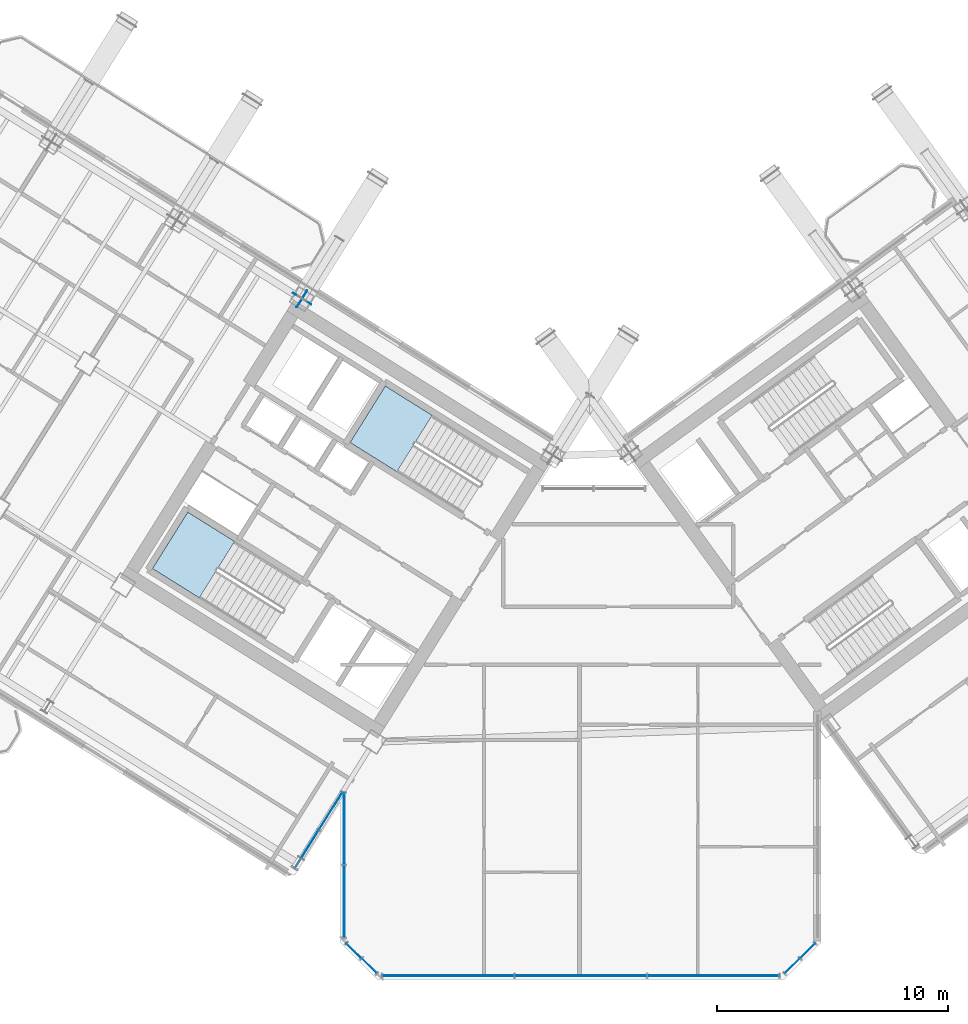
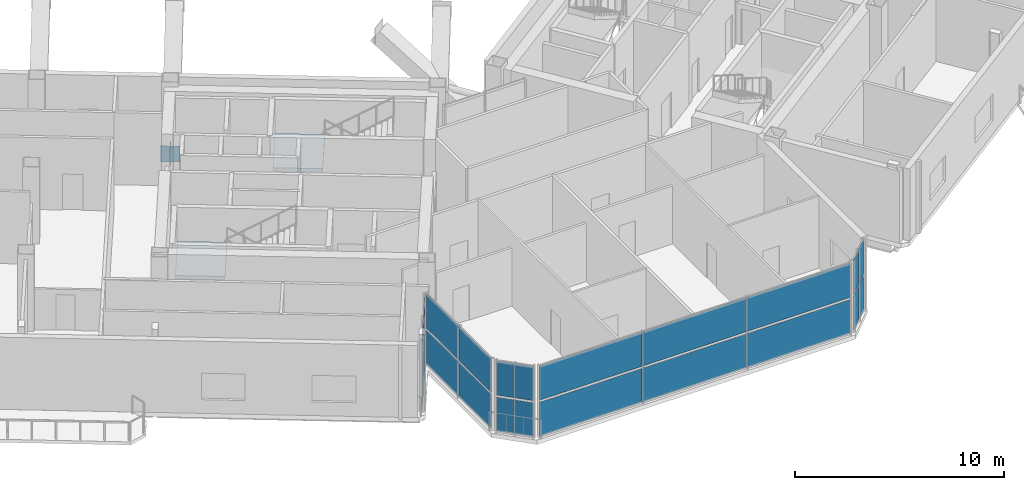
# One storey, part 14 of 34: 24 plates, 2 slabs, 7 elements without a shape of their own.
"""IFC4 building model written with IfcOpenShell, lengths in metres."""

from ifc_helpers import new_model, si_unit, direction, frame, origin, origin_2d, place, context, subcontext, project, spatial, polyline, rectangle, outline, extrude, source, transform, mapped, material, layer, layer_set, type_object, element, aggregate, save


model = new_model("IFC4")

# Units and contexts
model_context = context("Model", 3, precision=1e-05, world=origin(), true_north=direction((0.0, 1.0)))
body_context = subcontext(model_context, "Body", "Model", "MODEL_VIEW")
ifc_project = project(units=[si_unit("LENGTHUNIT", "METRE"), si_unit("AREAUNIT", "SQUARE_METRE"), si_unit("VOLUMEUNIT", "CUBIC_METRE"), si_unit("PLANEANGLEUNIT", "RADIAN"), si_unit("MASSUNIT", "GRAM", prefix="KILO")], contexts=[model_context])

# Site, building, storey
site_placement = place(None, origin())
site = spatial("IfcSite", under=ifc_project, at=site_placement, CompositionType="ELEMENT")
building_placement = place(site_placement, origin())
building = spatial("IfcBuilding", under=site, at=building_placement, Name="Tlacorven Tower", CompositionType="ELEMENT")
storey_placement = place(building_placement, frame((0.0, 0.0, 174.89990234375)))
storey = spatial("IfcBuildingStorey", under=building, at=storey_placement, Name="L44", CompositionType="ELEMENT", Elevation=174.89990234375)

# Stair, slab
ifc_material_1 = material(Name="Concrete C40/50", Category="concrete")
stair_type = type_object("IfcStairType", Name="ST-CORE-DLG", PredefinedType="HALF_TURN_STAIR", material=ifc_material_1)
stair_1_placement = place(storey_placement, origin())
stair_1 = element("IfcStair", 1, at=stair_1_placement, inside=storey, type_object=stair_type, Name="L44 Protected Exit Stair West 1", PredefinedType="HALF_TURN_STAIR")
ifc_layer_1 = layer(ifc_material_1, 0.199951171875)
ifc_layer_set_1 = layer_set([ifc_layer_1], Name="Concrete C40/50")
slab_type = type_object("IfcSlabType", Name="SL-LND-200", PredefinedType="LANDING", material=ifc_layer_set_1)
slab_1_placement = place(storey_placement, frame((0.0, 0.0, 2.050048828125)))
slab_1 = element("IfcSlab", 2, at=slab_1_placement, type_object=slab_type, Name="ST-W1 landing 1", PredefinedType="LANDING", context=body_context, shape_type="SweptSolid", body=[
    extrude(outline(polyline([(27.01611328125, 20.76025390625), (24.9892578125, 22.02685546875), (23.463134765625, 19.58447265625), (25.489990234375, 18.31787109375), (27.01611328125, 20.76025390625)])), origin(), (0.0, 0.0, 1.0), 0.199951171875),
])
aggregate(stair_1, [slab_1])

stair_2_placement = place(storey_placement, origin())
stair_2 = element("IfcStair", 3, at=stair_2_placement, inside=storey, type_object=stair_type, Name="L44 Protected Exit Stair West 2", PredefinedType="HALF_TURN_STAIR")
slab_2_placement = place(storey_placement, frame((0.0, 0.0, 2.050048828125)))
slab_2 = element("IfcSlab", 4, at=slab_2_placement, type_object=slab_type, Name="ST-W2 landing 1", PredefinedType="LANDING", context=body_context, shape_type="SweptSolid", body=[
    extrude(outline(polyline([(35.567626953125, 26.218017578125), (33.540771484375, 27.484375), (32.0146484375, 25.0419921875), (34.04150390625, 23.775634765625), (35.567626953125, 26.218017578125)])), origin(), (0.0, 0.0, 1.0), 0.199951171875),
])
aggregate(stair_2, [slab_2])

# Plates
ifc_material_2 = material(Name="Steel S460M", Category="steel")
ifc_layer_2 = layer(ifc_material_2, 0.02392578125)
ifc_layer_set_2 = layer_set([ifc_layer_2], Name="Steel S460M")
plate_type_1 = type_object("IfcPlateType", Name="PL-CAP-END1", PredefinedType="USERDEFINED", material=ifc_layer_set_2)
shared_shape_1 = source(origin(), body_context, "Body", "SweptSolid", [
    extrude(rectangle(XDim=0.02392578125, YDim=0.929931640625, at=origin_2d()), origin(), (0.0, 0.0, 1.0), 0.929931640625),
])
plate_1_placement = place(storey_placement, frame((29.9365234375, 31.26513671875, -0.453125), z_axis=(0.0, 0.0, 1.0), x_axis=(0.529919406799, 0.848048007072, 0.0)))
element("IfcPlate", 5, at=plate_1_placement, inside=storey, type_object=plate_type_1, Name="L44 hollow end cap plate RAK-L44-W3 1", ObjectType="END PLATE", PredefinedType="USERDEFINED", context=body_context, shape_type="MappedRepresentation", body=[
    mapped(shared_shape_1, transform((0.0, 0.0, 0.0), scale=1.0)),
])
ifc_layer_3 = layer(ifc_material_2, 0.031982421875)
ifc_layer_set_3 = layer_set([ifc_layer_3], Name="Steel S460M")
plate_type_2 = type_object("IfcPlateType", Name="PL-NODE-KN1", PredefinedType="SHEET", material=ifc_layer_set_3)
shared_shape_2 = source(origin(), body_context, "Body", "SweptSolid", [
    extrude(rectangle(XDim=0.85009765625, YDim=0.031982421875, at=origin_2d()), origin(), (0.0, 0.0, 1.0), 0.85009765625),
])
plate_2_placement = place(storey_placement, frame((29.93212890625, 31.25830078125, -0.419189453125), z_axis=(0.0, 0.0, 1.0), x_axis=(0.529919406799, 0.848048007072, 0.0)))
element("IfcPlate", 6, at=plate_2_placement, inside=storey, type_object=plate_type_2, Name="L44 structural node gusset plate RAK-L44-W3", PredefinedType="SHEET", context=body_context, shape_type="MappedRepresentation", body=[
    mapped(shared_shape_2, transform((0.0, 0.0, 0.0), scale=1.0)),
])

# Curtain wall, plates
ifc_material_3 = material(Name="Dark solar low-E double glazing in aluminium frame", Category="aluminium")
curtain_wall_type = type_object("IfcCurtainWallType", Name="CW-TWR-MID", PredefinedType="USERDEFINED", material=ifc_material_3)
curtain_wall_1_placement = place(storey_placement, origin())
curtain_wall_1 = element("IfcCurtainWall", 7, at=curtain_wall_1_placement, inside=storey, type_object=curtain_wall_type, Name="L44 CW-TWR-MID Curtain Wall 202", ObjectType="UNITISED CURTAIN WALL", PredefinedType="USERDEFINED")
ifc_material_4 = material(Name="High-wind dark solar tempered low-E glazing", Category="glass")
ifc_layer_4 = layer(ifc_material_4, 0.028076171875)
ifc_layer_set_4 = layer_set([ifc_layer_4], Name="High-wind dark solar tempered low-E glazing")
plate_type_3 = type_object("IfcPlateType", Name="CWP-03", PredefinedType="CURTAIN_PANEL", material=ifc_layer_set_4)
shared_shape_3 = source(origin(), body_context, "Body", "SweptSolid", [
    extrude(rectangle(XDim=0.885498046875, YDim=0.028076171875, at=origin_2d()), origin(), (0.0, 0.0, 1.0), 1.988037109375),
])
plate_3_placement = place(storey_placement, frame((51.816650390625, 3.04296875, 0.06103515625), z_axis=(0.0, 0.0, 1.0), x_axis=(-0.707106781187, -0.707106781187, 0.0)))
plate_3 = element("IfcPlate", 8, at=plate_3_placement, type_object=plate_type_3, Name="CW-L44-202 Glazing Panel 1", PredefinedType="CURTAIN_PANEL", context=body_context, shape_type="MappedRepresentation", body=[
    mapped(shared_shape_3, transform((0.0, 0.0, 0.0), scale=1.0)),
])
plate_4_placement = place(storey_placement, frame((51.816650390625, 3.04296875, 2.1708984375), z_axis=(0.0, 0.0, 1.0), x_axis=(-0.707106781187, -0.707106781187, 0.0)))
plate_4 = element("IfcPlate", 9, at=plate_4_placement, type_object=plate_type_3, Name="CW-L44-202 Glazing Panel 2", PredefinedType="CURTAIN_PANEL", context=body_context, shape_type="MappedRepresentation", body=[
    mapped(shared_shape_3, transform((0.0, 0.0, 0.0), scale=1.0)),
])
plate_5_placement = place(storey_placement, frame((51.1572265625, 2.38330078125, 0.06103515625), z_axis=(0.0, 0.0, 1.0), x_axis=(-0.707106781187, -0.707106781187, 0.0)))
plate_5 = element("IfcPlate", 10, at=plate_5_placement, type_object=plate_type_3, Name="CW-L44-202 Glazing Panel 3", PredefinedType="CURTAIN_PANEL", context=body_context, shape_type="MappedRepresentation", body=[
    mapped(shared_shape_3, transform((0.0, 0.0, 0.0), scale=1.0)),
])
plate_6_placement = place(storey_placement, frame((51.1572265625, 2.38330078125, 2.1708984375), z_axis=(0.0, 0.0, 1.0), x_axis=(-0.707106781187, -0.707106781187, 0.0)))
plate_6 = element("IfcPlate", 11, at=plate_6_placement, type_object=plate_type_3, Name="CW-L44-202 Glazing Panel 4", PredefinedType="CURTAIN_PANEL", context=body_context, shape_type="MappedRepresentation", body=[
    mapped(shared_shape_3, transform((0.0, 0.0, 0.0), scale=1.0)),
])
aggregate(curtain_wall_1, [plate_3, plate_4, plate_5, plate_6])

curtain_wall_2_placement = place(storey_placement, origin())
curtain_wall_2 = element("IfcCurtainWall", 12, at=curtain_wall_2_placement, inside=storey, type_object=curtain_wall_type, Name="L44 CW-TWR-MID Curtain Wall 204", ObjectType="UNITISED CURTAIN WALL", PredefinedType="USERDEFINED")
plate_7_placement = place(storey_placement, frame((32.8427734375, 2.38330078125, 0.06103515625), z_axis=(0.0, 0.0, 1.0), x_axis=(-0.707106781187, 0.707106781187, 0.0)))
plate_7 = element("IfcPlate", 13, at=plate_7_placement, type_object=plate_type_3, Name="CW-L44-204 Glazing Panel 1", PredefinedType="CURTAIN_PANEL", context=body_context, shape_type="MappedRepresentation", body=[
    mapped(shared_shape_3, transform((0.0, 0.0, 0.0), scale=1.0)),
])
plate_8_placement = place(storey_placement, frame((32.8427734375, 2.38330078125, 2.1708984375), z_axis=(0.0, 0.0, 1.0), x_axis=(-0.707106781187, 0.707106781187, 0.0)))
plate_8 = element("IfcPlate", 14, at=plate_8_placement, type_object=plate_type_3, Name="CW-L44-204 Glazing Panel 2", PredefinedType="CURTAIN_PANEL", context=body_context, shape_type="MappedRepresentation", body=[
    mapped(shared_shape_3, transform((0.0, 0.0, 0.0), scale=1.0)),
])
plate_9_placement = place(storey_placement, frame((32.183349609375, 3.04296875, 0.06103515625), z_axis=(0.0, 0.0, 1.0), x_axis=(-0.707106781187, 0.707106781187, 0.0)))
plate_9 = element("IfcPlate", 15, at=plate_9_placement, type_object=plate_type_3, Name="CW-L44-204 Glazing Panel 3", PredefinedType="CURTAIN_PANEL", context=body_context, shape_type="MappedRepresentation", body=[
    mapped(shared_shape_3, transform((0.0, 0.0, 0.0), scale=1.0)),
])
plate_10_placement = place(storey_placement, frame((32.183349609375, 3.04296875, 2.1708984375), z_axis=(0.0, 0.0, 1.0), x_axis=(-0.707106781187, 0.707106781187, 0.0)))
plate_10 = element("IfcPlate", 16, at=plate_10_placement, type_object=plate_type_3, Name="CW-L44-204 Glazing Panel 4", PredefinedType="CURTAIN_PANEL", context=body_context, shape_type="MappedRepresentation", body=[
    mapped(shared_shape_3, transform((0.0, 0.0, 0.0), scale=1.0)),
])
aggregate(curtain_wall_2, [plate_7, plate_8, plate_9, plate_10])

curtain_wall_3_placement = place(storey_placement, origin())
curtain_wall_3 = element("IfcCurtainWall", 17, at=curtain_wall_3_placement, inside=storey, type_object=curtain_wall_type, Name="L44 CW-TWR-MID Curtain Wall 203", ObjectType="UNITISED CURTAIN WALL", PredefinedType="USERDEFINED")
shared_shape_4 = source(origin(), body_context, "Body", "SweptSolid", [
    extrude(rectangle(XDim=5.67626953125, YDim=0.028076171875, at=origin_2d()), origin(), (0.0, 0.0, 1.0), 1.988037109375),
])
plate_11_placement = place(storey_placement, frame((47.739501953125, 1.9599609375, 0.06103515625), z_axis=(0.0, 0.0, 1.0), x_axis=(-1.0, 0.0, 0.0)))
plate_11 = element("IfcPlate", 18, at=plate_11_placement, type_object=plate_type_3, Name="CW-L44-203 Glazing Panel 1", PredefinedType="CURTAIN_PANEL", context=body_context, shape_type="MappedRepresentation", body=[
    mapped(shared_shape_4, transform((0.0, 0.0, 0.0), scale=1.0)),
])
plate_12_placement = place(storey_placement, frame((47.739501953125, 1.9599609375, 2.1708984375), z_axis=(0.0, 0.0, 1.0), x_axis=(-1.0, 0.0, 0.0)))
plate_12 = element("IfcPlate", 19, at=plate_12_placement, type_object=plate_type_3, Name="CW-L44-203 Glazing Panel 2", PredefinedType="CURTAIN_PANEL", context=body_context, shape_type="MappedRepresentation", body=[
    mapped(shared_shape_4, transform((0.0, 0.0, 0.0), scale=1.0)),
])
plate_13_placement = place(storey_placement, frame((36.260498046875, 1.9599609375, 0.06103515625), z_axis=(0.0, 0.0, 1.0), x_axis=(-1.0, 0.0, 0.0)))
plate_13 = element("IfcPlate", 20, at=plate_13_placement, type_object=plate_type_3, Name="CW-L44-203 Glazing Panel 5", PredefinedType="CURTAIN_PANEL", context=body_context, shape_type="MappedRepresentation", body=[
    mapped(shared_shape_4, transform((0.0, 0.0, 0.0), scale=1.0)),
])
plate_14_placement = place(storey_placement, frame((36.260498046875, 1.9599609375, 2.1708984375), z_axis=(0.0, 0.0, 1.0), x_axis=(-1.0, 0.0, 0.0)))
plate_14 = element("IfcPlate", 21, at=plate_14_placement, type_object=plate_type_3, Name="CW-L44-203 Glazing Panel 6", PredefinedType="CURTAIN_PANEL", context=body_context, shape_type="MappedRepresentation", body=[
    mapped(shared_shape_4, transform((0.0, 0.0, 0.0), scale=1.0)),
])
shared_shape_5 = source(origin(), body_context, "Body", "SweptSolid", [
    extrude(rectangle(XDim=5.708740234375, YDim=0.028076171875, at=origin_2d()), origin(), (0.0, 0.0, 1.0), 1.988037109375),
])
plate_15_placement = place(storey_placement, frame((42.0, 1.9599609375, 0.06103515625), z_axis=(0.0, 0.0, 1.0), x_axis=(-1.0, 0.0, 0.0)))
plate_15 = element("IfcPlate", 22, at=plate_15_placement, type_object=plate_type_3, Name="CW-L44-203 Glazing Panel 3", PredefinedType="CURTAIN_PANEL", context=body_context, shape_type="MappedRepresentation", body=[
    mapped(shared_shape_5, transform((0.0, 0.0, 0.0), scale=1.0)),
])
plate_16_placement = place(storey_placement, frame((42.0, 1.9599609375, 2.1708984375), z_axis=(0.0, 0.0, 1.0), x_axis=(-1.0, 0.0, 0.0)))
plate_16 = element("IfcPlate", 23, at=plate_16_placement, type_object=plate_type_3, Name="CW-L44-203 Glazing Panel 4", PredefinedType="CURTAIN_PANEL", context=body_context, shape_type="MappedRepresentation", body=[
    mapped(shared_shape_5, transform((0.0, 0.0, 0.0), scale=1.0)),
])
aggregate(curtain_wall_3, [plate_11, plate_12, plate_15, plate_16, plate_13, plate_14])

curtain_wall_4_placement = place(storey_placement, origin())
curtain_wall_4 = element("IfcCurtainWall", 24, at=curtain_wall_4_placement, inside=storey, type_object=curtain_wall_type, Name="L44 CW-TWR-MID Curtain Wall 205", ObjectType="UNITISED CURTAIN WALL", PredefinedType="USERDEFINED")
shared_shape_6 = source(origin(), body_context, "Body", "SweptSolid", [
    extrude(rectangle(XDim=3.101806640625, YDim=0.028076171875, at=origin_2d()), origin(), (0.0, 0.0, 1.0), 1.988037109375),
])
plate_17_placement = place(storey_placement, frame((31.760009765625, 5.173095703125, 0.06103515625), z_axis=(0.0, 0.0, 1.0), x_axis=(0.0, 1.0, 0.0)))
plate_17 = element("IfcPlate", 25, at=plate_17_placement, type_object=plate_type_3, Name="CW-L44-205 Glazing Panel 1", PredefinedType="CURTAIN_PANEL", context=body_context, shape_type="MappedRepresentation", body=[
    mapped(shared_shape_6, transform((0.0, 0.0, 0.0), scale=1.0)),
])
plate_18_placement = place(storey_placement, frame((31.760009765625, 5.173095703125, 2.1708984375), z_axis=(0.0, 0.0, 1.0), x_axis=(0.0, 1.0, 0.0)))
plate_18 = element("IfcPlate", 26, at=plate_18_placement, type_object=plate_type_3, Name="CW-L44-205 Glazing Panel 2", PredefinedType="CURTAIN_PANEL", context=body_context, shape_type="MappedRepresentation", body=[
    mapped(shared_shape_6, transform((0.0, 0.0, 0.0), scale=1.0)),
])
plate_19_placement = place(storey_placement, frame((31.760009765625, 8.32177734375, 0.06103515625), z_axis=(0.0, 0.0, 1.0), x_axis=(0.0, 1.0, 0.0)))
plate_19 = element("IfcPlate", 27, at=plate_19_placement, type_object=plate_type_3, Name="CW-L44-205 Glazing Panel 3", PredefinedType="CURTAIN_PANEL", context=body_context, shape_type="MappedRepresentation", body=[
    mapped(shared_shape_6, transform((0.0, 0.0, 0.0), scale=1.0)),
])
plate_20_placement = place(storey_placement, frame((31.760009765625, 8.32177734375, 2.1708984375), z_axis=(0.0, 0.0, 1.0), x_axis=(0.0, 1.0, 0.0)))
plate_20 = element("IfcPlate", 28, at=plate_20_placement, type_object=plate_type_3, Name="CW-L44-205 Glazing Panel 4", PredefinedType="CURTAIN_PANEL", context=body_context, shape_type="MappedRepresentation", body=[
    mapped(shared_shape_6, transform((0.0, 0.0, 0.0), scale=1.0)),
])
aggregate(curtain_wall_4, [plate_17, plate_18, plate_19, plate_20])

curtain_wall_5_placement = place(storey_placement, origin())
curtain_wall_5 = element("IfcCurtainWall", 29, at=curtain_wall_5_placement, inside=storey, type_object=curtain_wall_type, Name="L44 CW-TWR-MID Curtain Wall 206", ObjectType="UNITISED CURTAIN WALL", PredefinedType="USERDEFINED")
shared_shape_7 = source(origin(), body_context, "Body", "SweptSolid", [
    extrude(rectangle(XDim=1.90380859375, YDim=0.028076171875, at=origin_2d()), origin(), (0.0, 0.0, 1.0), 1.988037109375),
])
plate_21_placement = place(storey_placement, frame((31.1728515625, 9.089111328125, 0.06103515625), z_axis=(0.0, 0.0, 1.0), x_axis=(-0.529918710919, -0.848048441905, 0.0)))
plate_21 = element("IfcPlate", 30, at=plate_21_placement, type_object=plate_type_3, Name="CW-L44-206 Glazing Panel 1", PredefinedType="CURTAIN_PANEL", context=body_context, shape_type="MappedRepresentation", body=[
    mapped(shared_shape_7, transform((0.0, 0.0, 0.0), scale=1.0)),
])
plate_22_placement = place(storey_placement, frame((31.1728515625, 9.089111328125, 2.1708984375), z_axis=(0.0, 0.0, 1.0), x_axis=(-0.529918710919, -0.848048441905, 0.0)))
plate_22 = element("IfcPlate", 31, at=plate_22_placement, type_object=plate_type_3, Name="CW-L44-206 Glazing Panel 2", PredefinedType="CURTAIN_PANEL", context=body_context, shape_type="MappedRepresentation", body=[
    mapped(shared_shape_7, transform((0.0, 0.0, 0.0), scale=1.0)),
])
plate_23_placement = place(storey_placement, frame((30.13916015625, 7.4345703125, 0.06103515625), z_axis=(0.0, 0.0, 1.0), x_axis=(-0.529918710919, -0.848048441905, 0.0)))
plate_23 = element("IfcPlate", 32, at=plate_23_placement, type_object=plate_type_3, Name="CW-L44-206 Glazing Panel 3", PredefinedType="CURTAIN_PANEL", context=body_context, shape_type="MappedRepresentation", body=[
    mapped(shared_shape_7, transform((0.0, 0.0, 0.0), scale=1.0)),
])
plate_24_placement = place(storey_placement, frame((30.13916015625, 7.4345703125, 2.1708984375), z_axis=(0.0, 0.0, 1.0), x_axis=(-0.529918710919, -0.848048441905, 0.0)))
plate_24 = element("IfcPlate", 33, at=plate_24_placement, type_object=plate_type_3, Name="CW-L44-206 Glazing Panel 4", PredefinedType="CURTAIN_PANEL", context=body_context, shape_type="MappedRepresentation", body=[
    mapped(shared_shape_7, transform((0.0, 0.0, 0.0), scale=1.0)),
])
aggregate(curtain_wall_5, [plate_21, plate_22, plate_23, plate_24])

save(model, "model.ifc")
